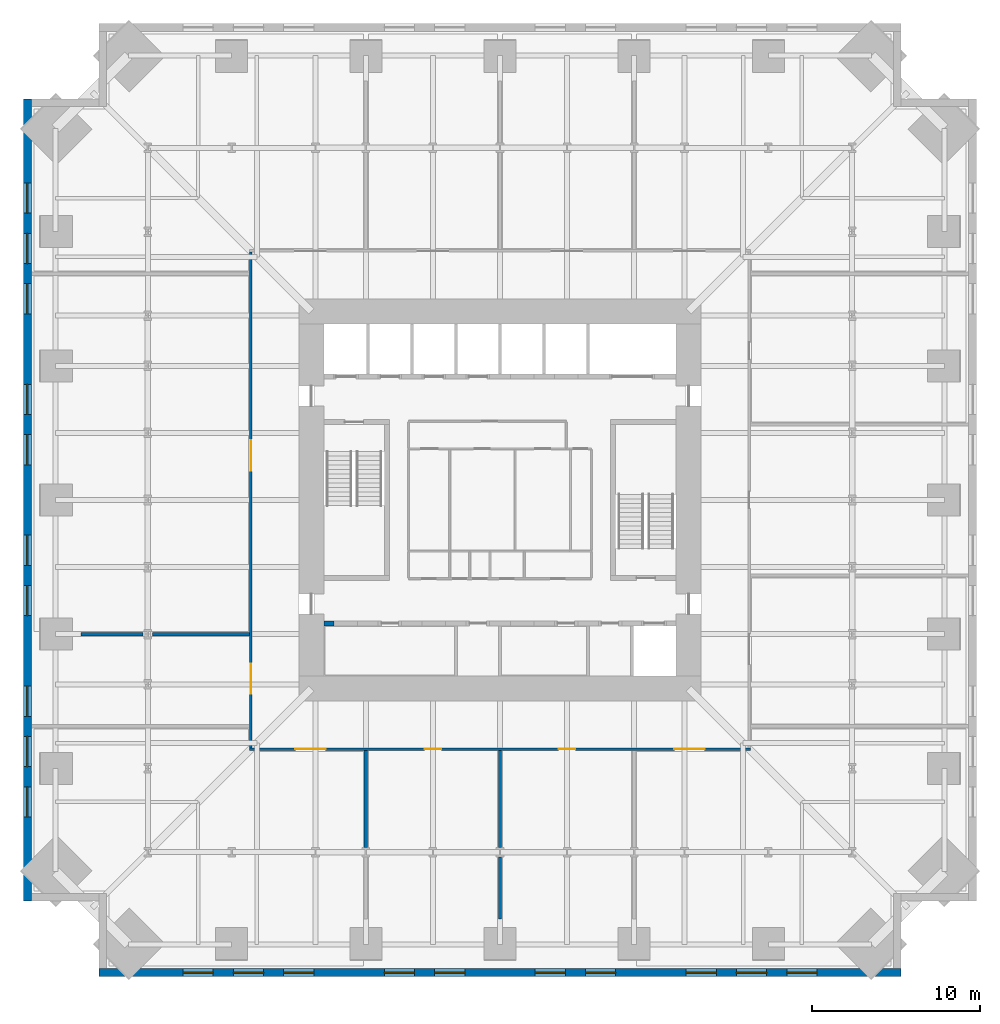
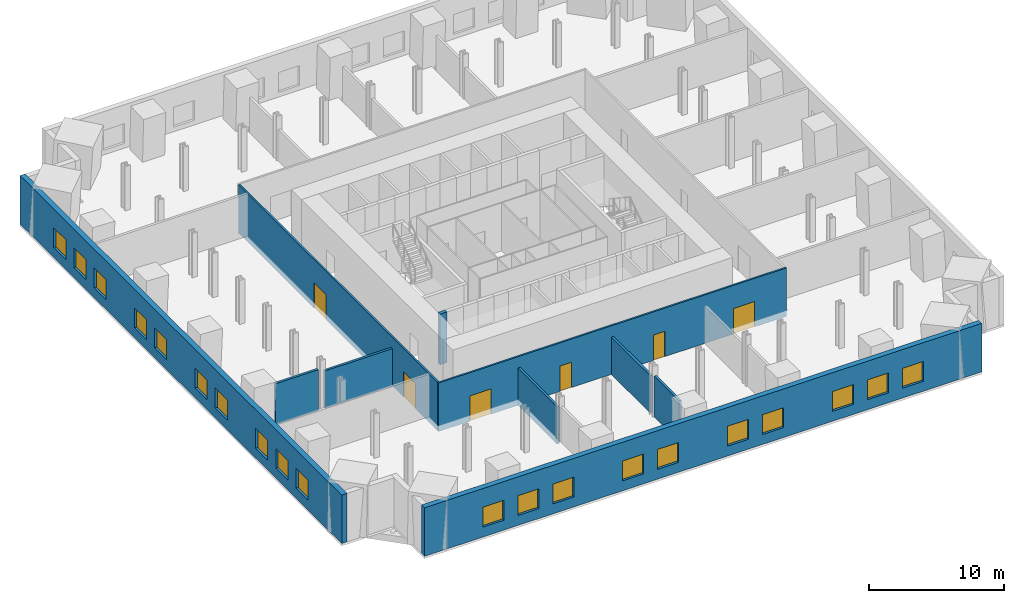
# One storey, part 3 of 8: 20 windows, 10 walls, 6 doors, 26 openings.
"""IFC4 building model written with IfcOpenShell, lengths in metres."""

from ifc_helpers import new_model, si_unit, direction, frame, frame_2d, origin, place, context, subcontext, project, spatial, rectangle, extrude, material, layer, layer_set, type_object, element, fill, save


model = new_model("IFC4")

# Units and contexts
model_context = context("Model", 3, precision=1e-05, world=origin(), true_north=direction((0.0, 1.0)))
body_context = subcontext(model_context, "Body", "Model", "MODEL_VIEW")
ifc_project = project(units=[si_unit("LENGTHUNIT", "METRE"), si_unit("AREAUNIT", "SQUARE_METRE"), si_unit("VOLUMEUNIT", "CUBIC_METRE"), si_unit("PLANEANGLEUNIT", "RADIAN"), si_unit("MASSUNIT", "GRAM", prefix="KILO")], contexts=[model_context])

# Site, building, storey
site_placement = place(None, origin())
site = spatial("IfcSite", under=ifc_project, at=site_placement, CompositionType="ELEMENT")
building_placement = place(site_placement, origin())
building = spatial("IfcBuilding", under=site, at=building_placement, Name="Peilmerk Tower", CompositionType="ELEMENT")
storey_placement = place(building_placement, frame((0.0, 0.0, 109.0)))
storey = spatial("IfcBuildingStorey", under=building, at=storey_placement, Name="L21", CompositionType="ELEMENT", Elevation=109.0)

# Wall, openings, windows
ifc_material_1 = material(Name="Precast concrete C45/55, board-marked finish", Category="concrete")
ifc_layer_1 = layer(ifc_material_1, 0.449951171875)
ifc_layer_set_1 = layer_set([ifc_layer_1], Name="Precast concrete C45/55, board-marked finish")
wall_type_1 = type_object("IfcWallType", Name="EW1 450 precast concrete facade wall, board-marked", PredefinedType="SOLIDWALL", material=ifc_layer_set_1)
wall_1_placement = place(storey_placement, frame((-23.89990234375, -28.175048828125, 0.0), z_axis=(0.0, 0.0, 1.0), x_axis=(1.0, 0.0, 0.0)))
wall_1 = element("IfcWall", 1, at=wall_1_placement, inside=storey, type_object=wall_type_1, Name="Facade wall S L21", PredefinedType="SOLIDWALL", context=body_context, shape_type="SweptSolid", body=[
    extrude(rectangle(XDim=47.7998046875, YDim=0.449951171875, at=frame_2d((23.89990234375, 0.0))), origin(), (0.0, 0.0, 1.0), 4.39990234375),
])
opening_1_placement = place(wall_1_placement, frame((5.0, 0.0, 0.89990234375)))
opening_1 = element("IfcOpeningElement", 2, at=opening_1_placement, cuts=wall_1, Name="Opening W3", PredefinedType="OPENING", context=body_context, shape_type="SweptSolid", body=[
    extrude(rectangle(XDim=1.800048828125, YDim=1.800048828125, at=frame_2d((0.89990234375, 0.89990234375))), frame((0.0, 0.23486328125, 0.0), z_axis=(0.0, -1.0, 0.0), x_axis=(1.0, 0.0, 0.0)), (0.0, 0.0, 1.0), 0.469970703125),
])
opening_2_placement = place(wall_1_placement, frame((8.0, 0.0, 0.89990234375)))
opening_2 = element("IfcOpeningElement", 3, at=opening_2_placement, cuts=wall_1, Name="Opening W3", PredefinedType="OPENING", context=body_context, shape_type="SweptSolid", body=[
    extrude(rectangle(XDim=1.800048828125, YDim=1.800048828125, at=frame_2d((0.89990234375, 0.89990234375))), frame((0.0, 0.23486328125, 0.0), z_axis=(0.0, -1.0, 0.0), x_axis=(1.0, 0.0, 0.0)), (0.0, 0.0, 1.0), 0.469970703125),
])
opening_3_placement = place(wall_1_placement, frame((11.0, 0.0, 0.89990234375)))
opening_3 = element("IfcOpeningElement", 4, at=opening_3_placement, cuts=wall_1, Name="Opening W3", PredefinedType="OPENING", context=body_context, shape_type="SweptSolid", body=[
    extrude(rectangle(XDim=1.800048828125, YDim=1.800048828125, at=frame_2d((0.89990234375, 0.89990234375))), frame((0.0, 0.23486328125, 0.0), z_axis=(0.0, -1.0, 0.0), x_axis=(1.0, 0.0, 0.0)), (0.0, 0.0, 1.0), 0.469970703125),
])
opening_4_placement = place(wall_1_placement, frame((17.0, 0.0, 0.89990234375)))
opening_4 = element("IfcOpeningElement", 5, at=opening_4_placement, cuts=wall_1, Name="Opening W3", PredefinedType="OPENING", context=body_context, shape_type="SweptSolid", body=[
    extrude(rectangle(XDim=1.800048828125, YDim=1.800048828125, at=frame_2d((0.89990234375, 0.89990234375))), frame((0.0, 0.23486328125, 0.0), z_axis=(0.0, -1.0, 0.0), x_axis=(1.0, 0.0, 0.0)), (0.0, 0.0, 1.0), 0.469970703125),
])
opening_5_placement = place(wall_1_placement, frame((20.0, 0.0, 0.89990234375)))
opening_5 = element("IfcOpeningElement", 6, at=opening_5_placement, cuts=wall_1, Name="Opening W3", PredefinedType="OPENING", context=body_context, shape_type="SweptSolid", body=[
    extrude(rectangle(XDim=1.800048828125, YDim=1.800048828125, at=frame_2d((0.89990234375, 0.89990234375))), frame((0.0, 0.23486328125, 0.0), z_axis=(0.0, -1.0, 0.0), x_axis=(1.0, 0.0, 0.0)), (0.0, 0.0, 1.0), 0.469970703125),
])
opening_6_placement = place(wall_1_placement, frame((26.0, 0.0, 0.89990234375)))
opening_6 = element("IfcOpeningElement", 7, at=opening_6_placement, cuts=wall_1, Name="Opening W3", PredefinedType="OPENING", context=body_context, shape_type="SweptSolid", body=[
    extrude(rectangle(XDim=1.800048828125, YDim=1.800048828125, at=frame_2d((0.89990234375, 0.89990234375))), frame((0.0, 0.23486328125, 0.0), z_axis=(0.0, -1.0, 0.0), x_axis=(1.0, 0.0, 0.0)), (0.0, 0.0, 1.0), 0.469970703125),
])
opening_7_placement = place(wall_1_placement, frame((29.0, 0.0, 0.89990234375)))
opening_7 = element("IfcOpeningElement", 8, at=opening_7_placement, cuts=wall_1, Name="Opening W3", PredefinedType="OPENING", context=body_context, shape_type="SweptSolid", body=[
    extrude(rectangle(XDim=1.800048828125, YDim=1.800048828125, at=frame_2d((0.89990234375, 0.89990234375))), frame((0.0, 0.23486328125, 0.0), z_axis=(0.0, -1.0, 0.0), x_axis=(1.0, 0.0, 0.0)), (0.0, 0.0, 1.0), 0.469970703125),
])
opening_8_placement = place(wall_1_placement, frame((35.0, 0.0, 0.89990234375)))
opening_8 = element("IfcOpeningElement", 9, at=opening_8_placement, cuts=wall_1, Name="Opening W3", PredefinedType="OPENING", context=body_context, shape_type="SweptSolid", body=[
    extrude(rectangle(XDim=1.800048828125, YDim=1.800048828125, at=frame_2d((0.89990234375, 0.89990234375))), frame((0.0, 0.23486328125, 0.0), z_axis=(0.0, -1.0, 0.0), x_axis=(1.0, 0.0, 0.0)), (0.0, 0.0, 1.0), 0.469970703125),
])
opening_9_placement = place(wall_1_placement, frame((38.0, 0.0, 0.89990234375)))
opening_9 = element("IfcOpeningElement", 10, at=opening_9_placement, cuts=wall_1, Name="Opening W3", PredefinedType="OPENING", context=body_context, shape_type="SweptSolid", body=[
    extrude(rectangle(XDim=1.800048828125, YDim=1.800048828125, at=frame_2d((0.89990234375, 0.89990234375))), frame((0.0, 0.23486328125, 0.0), z_axis=(0.0, -1.0, 0.0), x_axis=(1.0, 0.0, 0.0)), (0.0, 0.0, 1.0), 0.469970703125),
])
opening_10_placement = place(wall_1_placement, frame((41.0, 0.0, 0.89990234375)))
opening_10 = element("IfcOpeningElement", 11, at=opening_10_placement, cuts=wall_1, Name="Opening W3", PredefinedType="OPENING", context=body_context, shape_type="SweptSolid", body=[
    extrude(rectangle(XDim=1.800048828125, YDim=1.800048828125, at=frame_2d((0.89990234375, 0.89990234375))), frame((0.0, 0.23486328125, 0.0), z_axis=(0.0, -1.0, 0.0), x_axis=(1.0, 0.0, 0.0)), (0.0, 0.0, 1.0), 0.469970703125),
])
ifc_material_2 = material(Name="Aluminium frame, clear double glazing", Category="aluminium")
window_type = type_object("IfcWindowType", Name="W3 1800x1800 telecom floor window", PartitioningType="SINGLE_PANEL", PredefinedType="WINDOW", material=ifc_material_2)
window_1_placement = place(opening_1_placement, origin())
window_1 = element("IfcWindow", 12, at=window_1_placement, inside=storey, type_object=window_type, Name="Window W3 L21", OverallHeight=1.800048828125, OverallWidth=1.800048828125, PartitioningType="SINGLE_PANEL", PredefinedType="WINDOW", context=body_context, shape_type="SweptSolid", body=[
    extrude(rectangle(XDim=1.800048828125, YDim=1.800048828125, at=frame_2d((0.89990234375, 0.89990234375))), frame((0.0, 0.030029296875, 0.0), z_axis=(0.0, -1.0, 0.0), x_axis=(1.0, 0.0, 0.0)), (0.0, 0.0, 1.0), 0.06005859375),
])
fill(opening_1, window_1)
window_2_placement = place(opening_2_placement, origin())
window_2 = element("IfcWindow", 13, at=window_2_placement, inside=storey, type_object=window_type, Name="Window W3 L21", OverallHeight=1.800048828125, OverallWidth=1.800048828125, PartitioningType="SINGLE_PANEL", PredefinedType="WINDOW", context=body_context, shape_type="SweptSolid", body=[
    extrude(rectangle(XDim=1.800048828125, YDim=1.800048828125, at=frame_2d((0.89990234375, 0.89990234375))), frame((0.0, 0.030029296875, 0.0), z_axis=(0.0, -1.0, 0.0), x_axis=(1.0, 0.0, 0.0)), (0.0, 0.0, 1.0), 0.06005859375),
])
fill(opening_2, window_2)
window_3_placement = place(opening_3_placement, origin())
window_3 = element("IfcWindow", 14, at=window_3_placement, inside=storey, type_object=window_type, Name="Window W3 L21", OverallHeight=1.800048828125, OverallWidth=1.800048828125, PartitioningType="SINGLE_PANEL", PredefinedType="WINDOW", context=body_context, shape_type="SweptSolid", body=[
    extrude(rectangle(XDim=1.800048828125, YDim=1.800048828125, at=frame_2d((0.89990234375, 0.89990234375))), frame((0.0, 0.030029296875, 0.0), z_axis=(0.0, -1.0, 0.0), x_axis=(1.0, 0.0, 0.0)), (0.0, 0.0, 1.0), 0.06005859375),
])
fill(opening_3, window_3)
window_4_placement = place(opening_4_placement, origin())
window_4 = element("IfcWindow", 15, at=window_4_placement, inside=storey, type_object=window_type, Name="Window W3 L21", OverallHeight=1.800048828125, OverallWidth=1.800048828125, PartitioningType="SINGLE_PANEL", PredefinedType="WINDOW", context=body_context, shape_type="SweptSolid", body=[
    extrude(rectangle(XDim=1.800048828125, YDim=1.800048828125, at=frame_2d((0.89990234375, 0.89990234375))), frame((0.0, 0.030029296875, 0.0), z_axis=(0.0, -1.0, 0.0), x_axis=(1.0, 0.0, 0.0)), (0.0, 0.0, 1.0), 0.06005859375),
])
fill(opening_4, window_4)
window_5_placement = place(opening_5_placement, origin())
window_5 = element("IfcWindow", 16, at=window_5_placement, inside=storey, type_object=window_type, Name="Window W3 L21", OverallHeight=1.800048828125, OverallWidth=1.800048828125, PartitioningType="SINGLE_PANEL", PredefinedType="WINDOW", context=body_context, shape_type="SweptSolid", body=[
    extrude(rectangle(XDim=1.800048828125, YDim=1.800048828125, at=frame_2d((0.89990234375, 0.89990234375))), frame((0.0, 0.030029296875, 0.0), z_axis=(0.0, -1.0, 0.0), x_axis=(1.0, 0.0, 0.0)), (0.0, 0.0, 1.0), 0.06005859375),
])
fill(opening_5, window_5)
window_6_placement = place(opening_6_placement, origin())
window_6 = element("IfcWindow", 17, at=window_6_placement, inside=storey, type_object=window_type, Name="Window W3 L21", OverallHeight=1.800048828125, OverallWidth=1.800048828125, PartitioningType="SINGLE_PANEL", PredefinedType="WINDOW", context=body_context, shape_type="SweptSolid", body=[
    extrude(rectangle(XDim=1.800048828125, YDim=1.800048828125, at=frame_2d((0.89990234375, 0.89990234375))), frame((0.0, 0.030029296875, 0.0), z_axis=(0.0, -1.0, 0.0), x_axis=(1.0, 0.0, 0.0)), (0.0, 0.0, 1.0), 0.06005859375),
])
fill(opening_6, window_6)
window_7_placement = place(opening_7_placement, origin())
window_7 = element("IfcWindow", 18, at=window_7_placement, inside=storey, type_object=window_type, Name="Window W3 L21", OverallHeight=1.800048828125, OverallWidth=1.800048828125, PartitioningType="SINGLE_PANEL", PredefinedType="WINDOW", context=body_context, shape_type="SweptSolid", body=[
    extrude(rectangle(XDim=1.800048828125, YDim=1.800048828125, at=frame_2d((0.89990234375, 0.89990234375))), frame((0.0, 0.030029296875, 0.0), z_axis=(0.0, -1.0, 0.0), x_axis=(1.0, 0.0, 0.0)), (0.0, 0.0, 1.0), 0.06005859375),
])
fill(opening_7, window_7)
window_8_placement = place(opening_8_placement, origin())
window_8 = element("IfcWindow", 19, at=window_8_placement, inside=storey, type_object=window_type, Name="Window W3 L21", OverallHeight=1.800048828125, OverallWidth=1.800048828125, PartitioningType="SINGLE_PANEL", PredefinedType="WINDOW", context=body_context, shape_type="SweptSolid", body=[
    extrude(rectangle(XDim=1.800048828125, YDim=1.800048828125, at=frame_2d((0.89990234375, 0.89990234375))), frame((0.0, 0.030029296875, 0.0), z_axis=(0.0, -1.0, 0.0), x_axis=(1.0, 0.0, 0.0)), (0.0, 0.0, 1.0), 0.06005859375),
])
fill(opening_8, window_8)
window_9_placement = place(opening_9_placement, origin())
window_9 = element("IfcWindow", 20, at=window_9_placement, inside=storey, type_object=window_type, Name="Window W3 L21", OverallHeight=1.800048828125, OverallWidth=1.800048828125, PartitioningType="SINGLE_PANEL", PredefinedType="WINDOW", context=body_context, shape_type="SweptSolid", body=[
    extrude(rectangle(XDim=1.800048828125, YDim=1.800048828125, at=frame_2d((0.89990234375, 0.89990234375))), frame((0.0, 0.030029296875, 0.0), z_axis=(0.0, -1.0, 0.0), x_axis=(1.0, 0.0, 0.0)), (0.0, 0.0, 1.0), 0.06005859375),
])
fill(opening_9, window_9)
window_10_placement = place(opening_10_placement, origin())
window_10 = element("IfcWindow", 21, at=window_10_placement, inside=storey, type_object=window_type, Name="Window W3 L21", OverallHeight=1.800048828125, OverallWidth=1.800048828125, PartitioningType="SINGLE_PANEL", PredefinedType="WINDOW", context=body_context, shape_type="SweptSolid", body=[
    extrude(rectangle(XDim=1.800048828125, YDim=1.800048828125, at=frame_2d((0.89990234375, 0.89990234375))), frame((0.0, 0.030029296875, 0.0), z_axis=(0.0, -1.0, 0.0), x_axis=(1.0, 0.0, 0.0)), (0.0, 0.0, 1.0), 0.06005859375),
])
fill(opening_10, window_10)

wall_2_placement = place(storey_placement, frame((-28.175048828125, 23.89990234375, 0.0), z_axis=(0.0, 0.0, 1.0), x_axis=(0.0, -1.0, 0.0)))
wall_2 = element("IfcWall", 22, at=wall_2_placement, inside=storey, type_object=wall_type_1, Name="Facade wall W L21", PredefinedType="SOLIDWALL", context=body_context, shape_type="SweptSolid", body=[
    extrude(rectangle(XDim=47.7998046875, YDim=0.449951171875, at=frame_2d((23.89990234375, 0.0))), origin(), (0.0, 0.0, 1.0), 4.39990234375),
])
opening_11_placement = place(wall_2_placement, frame((5.0, 0.0, 0.89990234375)))
opening_11 = element("IfcOpeningElement", 23, at=opening_11_placement, cuts=wall_2, Name="Opening W3", PredefinedType="OPENING", context=body_context, shape_type="SweptSolid", body=[
    extrude(rectangle(XDim=1.800048828125, YDim=1.800048828125, at=frame_2d((0.89990234375, 0.89990234375))), frame((0.0, 0.23486328125, 0.0), z_axis=(0.0, -1.0, 0.0), x_axis=(1.0, 0.0, 0.0)), (0.0, 0.0, 1.0), 0.469970703125),
])
opening_12_placement = place(wall_2_placement, frame((8.0, 0.0, 0.89990234375)))
opening_12 = element("IfcOpeningElement", 24, at=opening_12_placement, cuts=wall_2, Name="Opening W3", PredefinedType="OPENING", context=body_context, shape_type="SweptSolid", body=[
    extrude(rectangle(XDim=1.800048828125, YDim=1.800048828125, at=frame_2d((0.89990234375, 0.89990234375))), frame((0.0, 0.23486328125, 0.0), z_axis=(0.0, -1.0, 0.0), x_axis=(1.0, 0.0, 0.0)), (0.0, 0.0, 1.0), 0.469970703125),
])
opening_13_placement = place(wall_2_placement, frame((11.0, 0.0, 0.89990234375)))
opening_13 = element("IfcOpeningElement", 25, at=opening_13_placement, cuts=wall_2, Name="Opening W3", PredefinedType="OPENING", context=body_context, shape_type="SweptSolid", body=[
    extrude(rectangle(XDim=1.800048828125, YDim=1.800048828125, at=frame_2d((0.89990234375, 0.89990234375))), frame((0.0, 0.23486328125, 0.0), z_axis=(0.0, -1.0, 0.0), x_axis=(1.0, 0.0, 0.0)), (0.0, 0.0, 1.0), 0.469970703125),
])
opening_14_placement = place(wall_2_placement, frame((17.0, 0.0, 0.89990234375)))
opening_14 = element("IfcOpeningElement", 26, at=opening_14_placement, cuts=wall_2, Name="Opening W3", PredefinedType="OPENING", context=body_context, shape_type="SweptSolid", body=[
    extrude(rectangle(XDim=1.800048828125, YDim=1.800048828125, at=frame_2d((0.89990234375, 0.89990234375))), frame((0.0, 0.23486328125, 0.0), z_axis=(0.0, -1.0, 0.0), x_axis=(1.0, 0.0, 0.0)), (0.0, 0.0, 1.0), 0.469970703125),
])
opening_15_placement = place(wall_2_placement, frame((20.0, 0.0, 0.89990234375)))
opening_15 = element("IfcOpeningElement", 27, at=opening_15_placement, cuts=wall_2, Name="Opening W3", PredefinedType="OPENING", context=body_context, shape_type="SweptSolid", body=[
    extrude(rectangle(XDim=1.800048828125, YDim=1.800048828125, at=frame_2d((0.89990234375, 0.89990234375))), frame((0.0, 0.23486328125, 0.0), z_axis=(0.0, -1.0, 0.0), x_axis=(1.0, 0.0, 0.0)), (0.0, 0.0, 1.0), 0.469970703125),
])
opening_16_placement = place(wall_2_placement, frame((26.0, 0.0, 0.89990234375)))
opening_16 = element("IfcOpeningElement", 28, at=opening_16_placement, cuts=wall_2, Name="Opening W3", PredefinedType="OPENING", context=body_context, shape_type="SweptSolid", body=[
    extrude(rectangle(XDim=1.800048828125, YDim=1.800048828125, at=frame_2d((0.89990234375, 0.89990234375))), frame((0.0, 0.23486328125, 0.0), z_axis=(0.0, -1.0, 0.0), x_axis=(1.0, 0.0, 0.0)), (0.0, 0.0, 1.0), 0.469970703125),
])
opening_17_placement = place(wall_2_placement, frame((29.0, 0.0, 0.89990234375)))
opening_17 = element("IfcOpeningElement", 29, at=opening_17_placement, cuts=wall_2, Name="Opening W3", PredefinedType="OPENING", context=body_context, shape_type="SweptSolid", body=[
    extrude(rectangle(XDim=1.800048828125, YDim=1.800048828125, at=frame_2d((0.89990234375, 0.89990234375))), frame((0.0, 0.23486328125, 0.0), z_axis=(0.0, -1.0, 0.0), x_axis=(1.0, 0.0, 0.0)), (0.0, 0.0, 1.0), 0.469970703125),
])
opening_18_placement = place(wall_2_placement, frame((35.0, 0.0, 0.89990234375)))
opening_18 = element("IfcOpeningElement", 30, at=opening_18_placement, cuts=wall_2, Name="Opening W3", PredefinedType="OPENING", context=body_context, shape_type="SweptSolid", body=[
    extrude(rectangle(XDim=1.800048828125, YDim=1.800048828125, at=frame_2d((0.89990234375, 0.89990234375))), frame((0.0, 0.23486328125, 0.0), z_axis=(0.0, -1.0, 0.0), x_axis=(1.0, 0.0, 0.0)), (0.0, 0.0, 1.0), 0.469970703125),
])
opening_19_placement = place(wall_2_placement, frame((38.0, 0.0, 0.89990234375)))
opening_19 = element("IfcOpeningElement", 31, at=opening_19_placement, cuts=wall_2, Name="Opening W3", PredefinedType="OPENING", context=body_context, shape_type="SweptSolid", body=[
    extrude(rectangle(XDim=1.800048828125, YDim=1.800048828125, at=frame_2d((0.89990234375, 0.89990234375))), frame((0.0, 0.23486328125, 0.0), z_axis=(0.0, -1.0, 0.0), x_axis=(1.0, 0.0, 0.0)), (0.0, 0.0, 1.0), 0.469970703125),
])
opening_20_placement = place(wall_2_placement, frame((41.0, 0.0, 0.89990234375)))
opening_20 = element("IfcOpeningElement", 32, at=opening_20_placement, cuts=wall_2, Name="Opening W3", PredefinedType="OPENING", context=body_context, shape_type="SweptSolid", body=[
    extrude(rectangle(XDim=1.800048828125, YDim=1.800048828125, at=frame_2d((0.89990234375, 0.89990234375))), frame((0.0, 0.23486328125, 0.0), z_axis=(0.0, -1.0, 0.0), x_axis=(1.0, 0.0, 0.0)), (0.0, 0.0, 1.0), 0.469970703125),
])
window_11_placement = place(opening_11_placement, origin())
window_11 = element("IfcWindow", 33, at=window_11_placement, inside=storey, type_object=window_type, Name="Window W3 L21", OverallHeight=1.800048828125, OverallWidth=1.800048828125, PartitioningType="SINGLE_PANEL", PredefinedType="WINDOW", context=body_context, shape_type="SweptSolid", body=[
    extrude(rectangle(XDim=1.800048828125, YDim=1.800048828125, at=frame_2d((0.89990234375, 0.89990234375))), frame((0.0, 0.030029296875, 0.0), z_axis=(0.0, -1.0, 0.0), x_axis=(1.0, 0.0, 0.0)), (0.0, 0.0, 1.0), 0.06005859375),
])
fill(opening_11, window_11)
window_12_placement = place(opening_12_placement, origin())
window_12 = element("IfcWindow", 34, at=window_12_placement, inside=storey, type_object=window_type, Name="Window W3 L21", OverallHeight=1.800048828125, OverallWidth=1.800048828125, PartitioningType="SINGLE_PANEL", PredefinedType="WINDOW", context=body_context, shape_type="SweptSolid", body=[
    extrude(rectangle(XDim=1.800048828125, YDim=1.800048828125, at=frame_2d((0.89990234375, 0.89990234375))), frame((0.0, 0.030029296875, 0.0), z_axis=(0.0, -1.0, 0.0), x_axis=(1.0, 0.0, 0.0)), (0.0, 0.0, 1.0), 0.06005859375),
])
fill(opening_12, window_12)
window_13_placement = place(opening_13_placement, origin())
window_13 = element("IfcWindow", 35, at=window_13_placement, inside=storey, type_object=window_type, Name="Window W3 L21", OverallHeight=1.800048828125, OverallWidth=1.800048828125, PartitioningType="SINGLE_PANEL", PredefinedType="WINDOW", context=body_context, shape_type="SweptSolid", body=[
    extrude(rectangle(XDim=1.800048828125, YDim=1.800048828125, at=frame_2d((0.89990234375, 0.89990234375))), frame((0.0, 0.030029296875, 0.0), z_axis=(0.0, -1.0, 0.0), x_axis=(1.0, 0.0, 0.0)), (0.0, 0.0, 1.0), 0.06005859375),
])
fill(opening_13, window_13)
window_14_placement = place(opening_14_placement, origin())
window_14 = element("IfcWindow", 36, at=window_14_placement, inside=storey, type_object=window_type, Name="Window W3 L21", OverallHeight=1.800048828125, OverallWidth=1.800048828125, PartitioningType="SINGLE_PANEL", PredefinedType="WINDOW", context=body_context, shape_type="SweptSolid", body=[
    extrude(rectangle(XDim=1.800048828125, YDim=1.800048828125, at=frame_2d((0.89990234375, 0.89990234375))), frame((0.0, 0.030029296875, 0.0), z_axis=(0.0, -1.0, 0.0), x_axis=(1.0, 0.0, 0.0)), (0.0, 0.0, 1.0), 0.06005859375),
])
fill(opening_14, window_14)
window_15_placement = place(opening_15_placement, origin())
window_15 = element("IfcWindow", 37, at=window_15_placement, inside=storey, type_object=window_type, Name="Window W3 L21", OverallHeight=1.800048828125, OverallWidth=1.800048828125, PartitioningType="SINGLE_PANEL", PredefinedType="WINDOW", context=body_context, shape_type="SweptSolid", body=[
    extrude(rectangle(XDim=1.800048828125, YDim=1.800048828125, at=frame_2d((0.89990234375, 0.89990234375))), frame((0.0, 0.030029296875, 0.0), z_axis=(0.0, -1.0, 0.0), x_axis=(1.0, 0.0, 0.0)), (0.0, 0.0, 1.0), 0.06005859375),
])
fill(opening_15, window_15)
window_16_placement = place(opening_16_placement, origin())
window_16 = element("IfcWindow", 38, at=window_16_placement, inside=storey, type_object=window_type, Name="Window W3 L21", OverallHeight=1.800048828125, OverallWidth=1.800048828125, PartitioningType="SINGLE_PANEL", PredefinedType="WINDOW", context=body_context, shape_type="SweptSolid", body=[
    extrude(rectangle(XDim=1.800048828125, YDim=1.800048828125, at=frame_2d((0.89990234375, 0.89990234375))), frame((0.0, 0.030029296875, 0.0), z_axis=(0.0, -1.0, 0.0), x_axis=(1.0, 0.0, 0.0)), (0.0, 0.0, 1.0), 0.06005859375),
])
fill(opening_16, window_16)
window_17_placement = place(opening_17_placement, origin())
window_17 = element("IfcWindow", 39, at=window_17_placement, inside=storey, type_object=window_type, Name="Window W3 L21", OverallHeight=1.800048828125, OverallWidth=1.800048828125, PartitioningType="SINGLE_PANEL", PredefinedType="WINDOW", context=body_context, shape_type="SweptSolid", body=[
    extrude(rectangle(XDim=1.800048828125, YDim=1.800048828125, at=frame_2d((0.89990234375, 0.89990234375))), frame((0.0, 0.030029296875, 0.0), z_axis=(0.0, -1.0, 0.0), x_axis=(1.0, 0.0, 0.0)), (0.0, 0.0, 1.0), 0.06005859375),
])
fill(opening_17, window_17)
window_18_placement = place(opening_18_placement, origin())
window_18 = element("IfcWindow", 40, at=window_18_placement, inside=storey, type_object=window_type, Name="Window W3 L21", OverallHeight=1.800048828125, OverallWidth=1.800048828125, PartitioningType="SINGLE_PANEL", PredefinedType="WINDOW", context=body_context, shape_type="SweptSolid", body=[
    extrude(rectangle(XDim=1.800048828125, YDim=1.800048828125, at=frame_2d((0.89990234375, 0.89990234375))), frame((0.0, 0.030029296875, 0.0), z_axis=(0.0, -1.0, 0.0), x_axis=(1.0, 0.0, 0.0)), (0.0, 0.0, 1.0), 0.06005859375),
])
fill(opening_18, window_18)
window_19_placement = place(opening_19_placement, origin())
window_19 = element("IfcWindow", 41, at=window_19_placement, inside=storey, type_object=window_type, Name="Window W3 L21", OverallHeight=1.800048828125, OverallWidth=1.800048828125, PartitioningType="SINGLE_PANEL", PredefinedType="WINDOW", context=body_context, shape_type="SweptSolid", body=[
    extrude(rectangle(XDim=1.800048828125, YDim=1.800048828125, at=frame_2d((0.89990234375, 0.89990234375))), frame((0.0, 0.030029296875, 0.0), z_axis=(0.0, -1.0, 0.0), x_axis=(1.0, 0.0, 0.0)), (0.0, 0.0, 1.0), 0.06005859375),
])
fill(opening_19, window_19)
window_20_placement = place(opening_20_placement, origin())
window_20 = element("IfcWindow", 42, at=window_20_placement, inside=storey, type_object=window_type, Name="Window W3 L21", OverallHeight=1.800048828125, OverallWidth=1.800048828125, PartitioningType="SINGLE_PANEL", PredefinedType="WINDOW", context=body_context, shape_type="SweptSolid", body=[
    extrude(rectangle(XDim=1.800048828125, YDim=1.800048828125, at=frame_2d((0.89990234375, 0.89990234375))), frame((0.0, 0.030029296875, 0.0), z_axis=(0.0, -1.0, 0.0), x_axis=(1.0, 0.0, 0.0)), (0.0, 0.0, 1.0), 0.06005859375),
])
fill(opening_20, window_20)

# Wall, openings, doors
ifc_material_3 = material(Name="Calcium silicate block", Category="masonry")
ifc_layer_2 = layer(ifc_material_3, 0.14990234375)
ifc_layer_set_2 = layer_set([ifc_layer_2], Name="Calcium silicate block")
wall_type_2 = type_object("IfcWallType", Name="IW1 150 corridor partition, EI 60", PredefinedType="PARTITIONING", material=ifc_layer_set_2)
wall_3_placement = place(storey_placement, frame((14.925048828125, -14.85009765625, 0.0), z_axis=(0.0, 0.0, 1.0), x_axis=(-1.0, 0.0, 0.0)))
wall_3 = element("IfcWall", 43, at=wall_3_placement, inside=storey, type_object=wall_type_2, Name="Corridor wall S L21", PredefinedType="PARTITIONING", context=body_context, shape_type="SweptSolid", body=[
    extrude(rectangle(XDim=29.85009765625, YDim=0.14990234375, at=frame_2d((14.925048828125, 0.0))), origin(), (0.0, 0.0, 1.0), 4.39990234375),
])
opening_21_placement = place(wall_3_placement, frame((25.324951171875, 0.0, 0.0)))
opening_21 = element("IfcOpeningElement", 44, at=opening_21_placement, cuts=wall_3, Name="Opening D2", PredefinedType="OPENING", context=body_context, shape_type="SweptSolid", body=[
    extrude(rectangle(XDim=1.800048828125, YDim=2.300048828125, at=frame_2d((0.89990234375, 1.14990234375))), frame((0.0, 0.0849609375, 0.0), z_axis=(0.0, -1.0, 0.0), x_axis=(1.0, 0.0, 0.0)), (0.0, 0.0, 1.0), 0.169921875),
])
opening_22_placement = place(wall_3_placement, frame((18.425048828125, 0.0, 0.0)))
opening_22 = element("IfcOpeningElement", 45, at=opening_22_placement, cuts=wall_3, Name="Opening D1", PredefinedType="OPENING", context=body_context, shape_type="SweptSolid", body=[
    extrude(rectangle(XDim=1.0, YDim=2.300048828125, at=frame_2d((0.5, 1.14990234375))), frame((0.0, 0.0849609375, 0.0), z_axis=(0.0, -1.0, 0.0), x_axis=(1.0, 0.0, 0.0)), (0.0, 0.0, 1.0), 0.169921875),
])
opening_23_placement = place(wall_3_placement, frame((10.425048828125, 0.0, 0.0)))
opening_23 = element("IfcOpeningElement", 46, at=opening_23_placement, cuts=wall_3, Name="Opening D1", PredefinedType="OPENING", context=body_context, shape_type="SweptSolid", body=[
    extrude(rectangle(XDim=1.0, YDim=2.300048828125, at=frame_2d((0.5, 1.14990234375))), frame((0.0, 0.0849609375, 0.0), z_axis=(0.0, -1.0, 0.0), x_axis=(1.0, 0.0, 0.0)), (0.0, 0.0, 1.0), 0.169921875),
])
opening_24_placement = place(wall_3_placement, frame((2.72509765625, 0.0, 0.0)))
opening_24 = element("IfcOpeningElement", 47, at=opening_24_placement, cuts=wall_3, Name="Opening D2", PredefinedType="OPENING", context=body_context, shape_type="SweptSolid", body=[
    extrude(rectangle(XDim=1.800048828125, YDim=2.300048828125, at=frame_2d((0.89990234375, 1.14990234375))), frame((0.0, 0.0849609375, 0.0), z_axis=(0.0, -1.0, 0.0), x_axis=(1.0, 0.0, 0.0)), (0.0, 0.0, 1.0), 0.169921875),
])
ifc_material_4 = material(Name="Timber door in steel frame", Category="steel")
door_type_1 = type_object("IfcDoorType", Name="D1 1000x2300 room door, EI2 30", OperationType="SINGLE_SWING_LEFT", PredefinedType="DOOR", material=ifc_material_4)
door_1_placement = place(opening_22_placement, origin())
door_1 = element("IfcDoor", 48, at=door_1_placement, inside=storey, type_object=door_type_1, Name="Door Interconnect room L21", OperationType="SINGLE_SWING_LEFT", OverallHeight=2.300048828125, OverallWidth=1.0, PredefinedType="DOOR", context=body_context, shape_type="SweptSolid", body=[
    extrude(rectangle(XDim=1.0, YDim=2.300048828125, at=frame_2d((0.5, 1.14990234375))), frame((0.0, 0.02490234375, 0.0), z_axis=(0.0, -1.0, 0.0), x_axis=(1.0, 0.0, 0.0)), (0.0, 0.0, 1.0), 0.050048828125),
])
fill(opening_22, door_1)
door_2_placement = place(opening_23_placement, origin())
door_2 = element("IfcDoor", 49, at=door_2_placement, inside=storey, type_object=door_type_1, Name="Door Fibre splice room L21", OperationType="SINGLE_SWING_LEFT", OverallHeight=2.300048828125, OverallWidth=1.0, PredefinedType="DOOR", context=body_context, shape_type="SweptSolid", body=[
    extrude(rectangle(XDim=1.0, YDim=2.300048828125, at=frame_2d((0.5, 1.14990234375))), frame((0.0, 0.02490234375, 0.0), z_axis=(0.0, -1.0, 0.0), x_axis=(1.0, 0.0, 0.0)), (0.0, 0.0, 1.0), 0.050048828125),
])
fill(opening_23, door_2)
ifc_material_5 = material(Name="Steel door in steel frame", Category="steel")
door_type_2 = type_object("IfcDoorType", Name="D2 1800x2300 double door, EI2 60", OperationType="DOUBLE_DOOR_DOUBLE_SWING", PredefinedType="DOOR", material=ifc_material_5)
door_3_placement = place(opening_21_placement, origin())
door_3 = element("IfcDoor", 50, at=door_3_placement, inside=storey, type_object=door_type_2, Name="Door Meet-me room A L21", OperationType="DOUBLE_DOOR_DOUBLE_SWING", OverallHeight=2.300048828125, OverallWidth=1.800048828125, PredefinedType="DOOR", context=body_context, shape_type="SweptSolid", body=[
    extrude(rectangle(XDim=1.800048828125, YDim=2.300048828125, at=frame_2d((0.89990234375, 1.14990234375))), frame((0.0, 0.02490234375, 0.0), z_axis=(0.0, -1.0, 0.0), x_axis=(1.0, 0.0, 0.0)), (0.0, 0.0, 1.0), 0.050048828125),
])
fill(opening_21, door_3)
door_4_placement = place(opening_24_placement, origin())
door_4 = element("IfcDoor", 51, at=door_4_placement, inside=storey, type_object=door_type_2, Name="Door Meet-me room B L21", OperationType="DOUBLE_DOOR_DOUBLE_SWING", OverallHeight=2.300048828125, OverallWidth=1.800048828125, PredefinedType="DOOR", context=body_context, shape_type="SweptSolid", body=[
    extrude(rectangle(XDim=1.800048828125, YDim=2.300048828125, at=frame_2d((0.89990234375, 1.14990234375))), frame((0.0, 0.02490234375, 0.0), z_axis=(0.0, -1.0, 0.0), x_axis=(1.0, 0.0, 0.0)), (0.0, 0.0, 1.0), 0.050048828125),
])
fill(opening_24, door_4)

wall_4_placement = place(storey_placement, frame((-14.85009765625, 14.77490234375, 0.0), z_axis=(0.0, 0.0, 1.0), x_axis=(0.0, -1.0, 0.0)))
wall_4 = element("IfcWall", 52, at=wall_4_placement, inside=storey, type_object=wall_type_2, Name="Corridor wall W L21", PredefinedType="PARTITIONING", context=body_context, shape_type="SweptSolid", body=[
    extrude(rectangle(XDim=29.5498046875, YDim=0.14990234375, at=frame_2d((14.77490234375, 0.0))), origin(), (0.0, 0.0, 1.0), 4.39990234375),
])
opening_25_placement = place(wall_4_placement, frame((24.52490234375, 0.0, 0.0)))
opening_25 = element("IfcOpeningElement", 53, at=opening_25_placement, cuts=wall_4, Name="Opening D2", PredefinedType="OPENING", context=body_context, shape_type="SweptSolid", body=[
    extrude(rectangle(XDim=1.800048828125, YDim=2.300048828125, at=frame_2d((0.89990234375, 1.14990234375))), frame((0.0, 0.0849609375, 0.0), z_axis=(0.0, -1.0, 0.0), x_axis=(1.0, 0.0, 0.0)), (0.0, 0.0, 1.0), 0.169921875),
])
opening_26_placement = place(wall_4_placement, frame((11.22509765625, 0.0, 0.0)))
opening_26 = element("IfcOpeningElement", 54, at=opening_26_placement, cuts=wall_4, Name="Opening D2", PredefinedType="OPENING", context=body_context, shape_type="SweptSolid", body=[
    extrude(rectangle(XDim=1.800048828125, YDim=2.300048828125, at=frame_2d((0.89990234375, 1.14990234375))), frame((0.0, 0.0849609375, 0.0), z_axis=(0.0, -1.0, 0.0), x_axis=(1.0, 0.0, 0.0)), (0.0, 0.0, 1.0), 0.169921875),
])
door_5_placement = place(opening_25_placement, frame((1.800048828125, 0.0, 0.0), z_axis=(0.0, 0.0, 1.0), x_axis=(-1.0, 0.0, 0.0)))
door_5 = element("IfcDoor", 55, at=door_5_placement, inside=storey, type_object=door_type_2, Name="Door Rectifier room L21", OperationType="DOUBLE_DOOR_DOUBLE_SWING", OverallHeight=2.300048828125, OverallWidth=1.800048828125, PredefinedType="DOOR", context=body_context, shape_type="SweptSolid", body=[
    extrude(rectangle(XDim=1.800048828125, YDim=2.300048828125, at=frame_2d((0.89990234375, 1.14990234375))), frame((0.0, 0.02490234375, 0.0), z_axis=(0.0, -1.0, 0.0), x_axis=(1.0, 0.0, 0.0)), (0.0, 0.0, 1.0), 0.050048828125),
])
fill(opening_25, door_5)
door_6_placement = place(opening_26_placement, frame((1.800048828125, 0.0, 0.0), z_axis=(0.0, 0.0, 1.0), x_axis=(-1.0, 0.0, 0.0)))
door_6 = element("IfcDoor", 56, at=door_6_placement, inside=storey, type_object=door_type_2, Name="Door Telecom equipment room L21", OperationType="DOUBLE_DOOR_DOUBLE_SWING", OverallHeight=2.300048828125, OverallWidth=1.800048828125, PredefinedType="DOOR", context=body_context, shape_type="SweptSolid", body=[
    extrude(rectangle(XDim=1.800048828125, YDim=2.300048828125, at=frame_2d((0.89990234375, 1.14990234375))), frame((0.0, 0.02490234375, 0.0), z_axis=(0.0, -1.0, 0.0), x_axis=(1.0, 0.0, 0.0)), (0.0, 0.0, 1.0), 0.050048828125),
])
fill(opening_26, door_6)

# Walls
ifc_layer_3 = layer(ifc_material_3, 0.199951171875)
ifc_layer_set_3 = layer_set([ifc_layer_3], Name="Calcium silicate block")
wall_type_3 = type_object("IfcWallType", Name="IW2 200 room separating wall, EI 120", PredefinedType="PARTITIONING", material=ifc_layer_set_3)
for number, where, z_axis, x_axis, name in (
    (57, (-8.0, -14.925048828125, 0.0), (0.0, 0.0, 1.0), (0.0, -1.0, 0.0), "Room separating wall S1 L21"),
    (58, (0.0, -14.925048828125, 0.0), (0.0, 0.0, 1.0), (0.0, -1.0, 0.0), "Room separating wall S2 L21"),
):
    element("IfcWall", number, at=place(storey_placement, frame(where, z_axis=z_axis, x_axis=x_axis)), inside=storey, type_object=wall_type_3, Name=name, PredefinedType="PARTITIONING", context=body_context, shape_type="SweptSolid", body=[
        extrude(rectangle(XDim=5.79052734375, YDim=0.199951171875, at=frame_2d((2.895263671875, 0.0))), origin(), (0.0, 0.0, 1.0), 3.39208984375),
    ])
wall_5_placement = place(storey_placement, frame((0.0, -21.284423828125, 0.0), z_axis=(0.0, 0.0, 1.0), x_axis=(0.0, -1.0, 0.0)))
element("IfcWall", 59, at=wall_5_placement, inside=storey, type_object=wall_type_3, Name="Room separating wall S2b L21", PredefinedType="PARTITIONING", context=body_context, shape_type="SweptSolid", body=[
    extrude(rectangle(XDim=3.688232421875, YDim=0.199951171875, at=frame_2d((1.84423828125, 0.0))), origin(), (0.0, 0.0, 1.0), 3.7099609375),
])
wall_6_placement = place(storey_placement, frame((-14.925048828125, -8.0, 0.0), z_axis=(0.0, 0.0, 1.0), x_axis=(-1.0, 0.0, 0.0)))
element("IfcWall", 60, at=wall_6_placement, inside=storey, type_object=wall_type_3, Name="Room separating wall W1 L21", PredefinedType="PARTITIONING", context=body_context, shape_type="SweptSolid", body=[
    extrude(rectangle(XDim=5.79052734375, YDim=0.199951171875, at=frame_2d((2.895263671875, 0.0))), origin(), (0.0, 0.0, 1.0), 3.39208984375),
])
wall_7_placement = place(storey_placement, frame((-21.284423828125, -8.0, 0.0), z_axis=(0.0, 0.0, 1.0), x_axis=(-1.0, 0.0, 0.0)))
element("IfcWall", 61, at=wall_7_placement, inside=storey, type_object=wall_type_3, Name="Room separating wall W1b L21", PredefinedType="PARTITIONING", context=body_context, shape_type="SweptSolid", body=[
    extrude(rectangle(XDim=3.688232421875, YDim=0.199951171875, at=frame_2d((1.84423828125, 0.0))), origin(), (0.0, 0.0, 1.0), 3.7099609375),
])
ifc_material_6 = material(Name="Concrete C55/67", Category="concrete")
ifc_layer_4 = layer(ifc_material_6, 0.300048828125)
ifc_layer_set_4 = layer_set([ifc_layer_4], Name="Concrete C55/67")
wall_type_4 = type_object("IfcWallType", Name="SW2 300 lift bank pier", PredefinedType="SHEAR", material=ifc_layer_set_4)
wall_8_placement = place(storey_placement, frame((-10.5, -7.35009765625, 0.0), z_axis=(0.0, 0.0, 1.0), x_axis=(1.0, 0.0, 0.0)))
element("IfcWall", 62, at=wall_8_placement, inside=storey, type_object=wall_type_4, Name="Lift bank pier S L21", PredefinedType="SHEAR", context=body_context, shape_type="SweptSolid", body=[
    extrude(rectangle(XDim=0.612548828125, YDim=0.300048828125, at=frame_2d((0.30615234375, 0.0))), origin(), (0.0, 0.0, 1.0), 4.60009765625),
])

save(model, "model.ifc")
